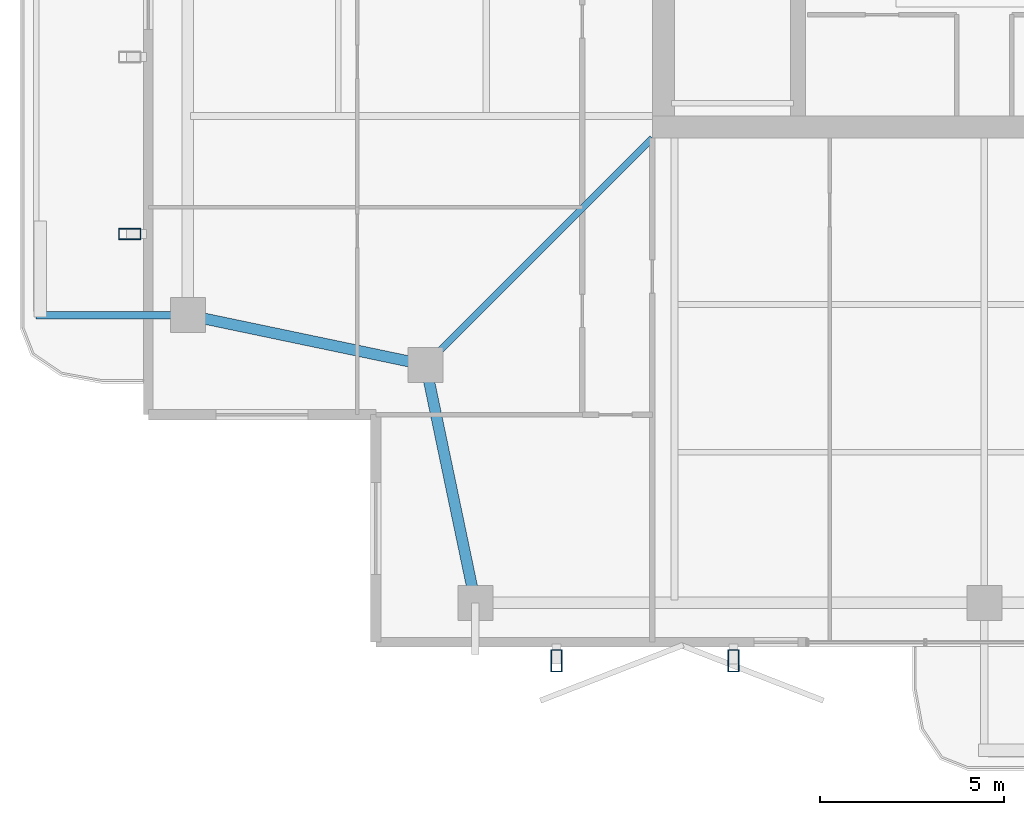
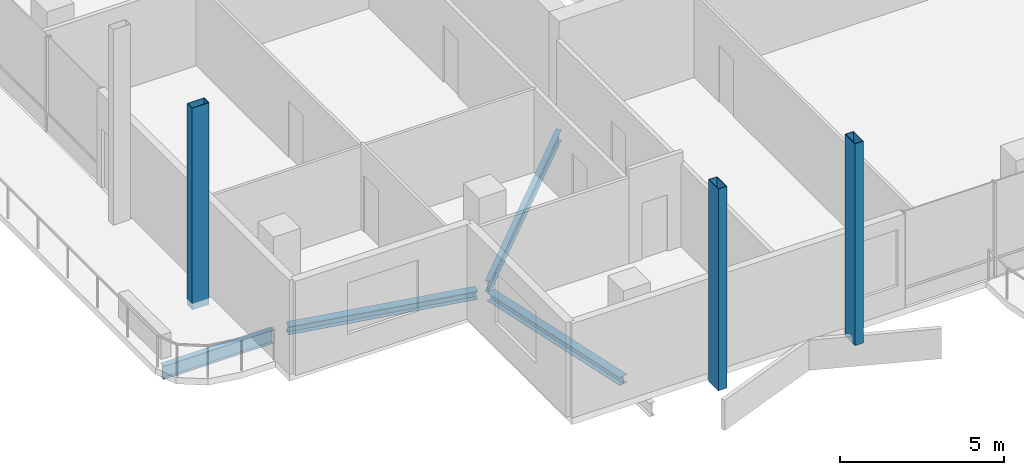
# One storey, part 2 of 20: 4 beams, 3 members.
"""IFC4 building model written with IfcOpenShell, lengths in metres."""

import ifcopenshell
import ifcopenshell.guid

model = None  # the IFC model being written
_history = None  # IfcOwnerHistory: only IFC2X3 demands one
_inside = {}  # id of a spatial element -> (the spatial element, [elements in it])
_under = {}  # id of a project, library or spatial element -> (it, [spatial elements below it])
_declared = {}  # id of a project -> (the project, [libraries it declares])
_typed = {}  # id of a type object -> (the type object, [elements of that type])
_made_of = {}  # id of a material, layer set ... -> (it, [elements and type objects made of it])


def new_model(schema):
    """Start an empty IFC model of exactly this schema.

    Asked for "IFC4X3", IfcOpenShell would pick the latest addendum, in which some entities
    have other attributes; the version numbers below select the first issue.
    IFC2X3 requires an IfcOwnerHistory on every rooted entity: one is made here for all.
    """
    global model, _history
    if schema == "IFC4X3":
        model = ifcopenshell.file(schema_version=(4, 3, 0, 0))
    else:
        model = ifcopenshell.file(schema=schema)
    _inside.clear()
    _under.clear()
    _declared.clear()
    _typed.clear()
    _made_of.clear()
    _history = None
    if model.schema == "IFC2X3":
        org = make("IfcOrganization", Name="unknown")
        user = make(
            "IfcPersonAndOrganization",
            ThePerson=make("IfcPerson", FamilyName="unknown"),
            TheOrganization=org,
        )
        app = make(
            "IfcApplication",
            ApplicationDeveloper=org,
            Version="unknown",
            ApplicationFullName="unknown",
            ApplicationIdentifier="unknown",
        )
        _history = make(
            "IfcOwnerHistory",
            OwningUser=user,
            OwningApplication=app,
            ChangeAction="ADDED",
            CreationDate=0,
        )
    return model


def make(cls, **values):
    """One entity of the class cls with the attributes given. An attribute that is None is left unset."""
    return model.create_entity(
        cls, **{name: value for name, value in values.items() if value is not None}
    )


def rooted(cls, **values):
    """An entity with a GlobalId (a new one), such as an element, a storey or a relation."""
    return make(cls, GlobalId=ifcopenshell.guid.new(), OwnerHistory=_history, **values)


def si_unit(unit_type, name, prefix=None):
    """IfcSIUnit, for example si_unit("LENGTHUNIT", "METRE", prefix="MILLI")."""
    return make("IfcSIUnit", UnitType=unit_type, Prefix=prefix, Name=name)


def assignment(units):
    """IfcUnitAssignment: the units of a project."""
    return None if units is None else make("IfcUnitAssignment", Units=units)


def point(xyz):
    """IfcCartesianPoint."""
    return None if xyz is None else make("IfcCartesianPoint", Coordinates=xyz)


def direction(xyz):
    """IfcDirection."""
    return None if xyz is None else make("IfcDirection", DirectionRatios=xyz)


def frame(location, z_axis=None, x_axis=None):
    """IfcAxis2Placement3D, a coordinate frame: its origin and axes. An axis left out is left unset."""
    return make(
        "IfcAxis2Placement3D",
        Location=point(location),
        Axis=direction(z_axis),
        RefDirection=direction(x_axis),
    )


def frame_2d(location, x_axis=None):
    """IfcAxis2Placement2D, a coordinate frame in the plane: its origin and x axis."""
    return make(
        "IfcAxis2Placement2D", Location=point(location), RefDirection=direction(x_axis)
    )


def origin():
    """The frame at (0, 0, 0) with its axes left unset."""
    return frame((0.0, 0.0, 0.0))


def origin_2d():
    """The frame at (0, 0) in the plane with its x axis left unset."""
    return frame_2d((0.0, 0.0))


def place(relative_to, where):
    """IfcLocalPlacement: puts the frame where relative to a parent placement (None: the world)."""
    return make(
        "IfcLocalPlacement", PlacementRelTo=relative_to, RelativePlacement=where
    )


def context(
    kind, dimensions, precision=None, world=None, true_north=None, identifier=None
):
    """IfcGeometricRepresentationContext, for example the 3D "Model" context."""
    return make(
        "IfcGeometricRepresentationContext",
        ContextIdentifier=identifier,
        ContextType=kind,
        CoordinateSpaceDimension=dimensions,
        Precision=precision,
        WorldCoordinateSystem=world,
        TrueNorth=true_north,
    )


def subcontext(parent, identifier, kind, view, scale=None):
    """IfcGeometricRepresentationSubContext, for example "Body" below "Model"."""
    return make(
        "IfcGeometricRepresentationSubContext",
        ContextIdentifier=identifier,
        ContextType=kind,
        ParentContext=parent,
        TargetScale=scale,
        TargetView=view,
    )


def project(units=None, contexts=None):
    """IfcProject with its units and contexts."""
    return rooted(
        "IfcProject",
        Name="project",
        RepresentationContexts=contexts,
        UnitsInContext=assignment(units),
    )


def spatial(cls, under=None, at=None, **own):
    """A site, building, storey or space (cls), placed at a placement, below another one or the project."""
    s = rooted(cls, ObjectPlacement=at, **own)
    if under is not None:
        _under.setdefault(under.id(), (under, []))[1].append(s)
    return s


def profile(cls, at=None, kind="AREA", **sizes):
    """A parametric profile (cls). Its sizes go by their IFC names, for example OverallWidth=200.0."""
    return make(cls, ProfileType=kind, Position=at, **sizes)


def hollow_rectangle(**sizes):
    """IfcRectangleHollowProfileDef."""
    return profile("IfcRectangleHollowProfileDef", **sizes)


def i_section(**sizes):
    """IfcIShapeProfileDef."""
    return profile("IfcIShapeProfileDef", **sizes)


def extrude(swept, where, along, depth):
    """IfcExtrudedAreaSolid: the profile swept, set in the frame where, extruded along a direction by depth."""
    return make(
        "IfcExtrudedAreaSolid",
        SweptArea=swept,
        Position=where,
        ExtrudedDirection=direction(along),
        Depth=depth,
    )


def shape(context_of_items, identifier, shape_type, items):
    """IfcShapeRepresentation: the items that make up one representation, for example the "Body"."""
    return make(
        "IfcShapeRepresentation",
        ContextOfItems=context_of_items,
        RepresentationIdentifier=identifier,
        RepresentationType=shape_type,
        Items=items,
    )


def material(Name=None, Category=None):
    """IfcMaterial."""
    return make("IfcMaterial", Name=Name, Category=Category)


def material_profile(
    of_material, cross_section, Name=None, Category=None, Priority=None
):
    """IfcMaterialProfile: a cross section and its material."""
    return make(
        "IfcMaterialProfile",
        Name=Name,
        Material=of_material,
        Profile=cross_section,
        Priority=Priority,
        Category=Category,
    )


def profile_set(profiles, Name=None, composite=None):
    """IfcMaterialProfileSet."""
    return make(
        "IfcMaterialProfileSet",
        Name=Name,
        MaterialProfiles=profiles,
        CompositeProfile=composite,
    )


def made_of(thing, what):
    """Note that an element or type object is made of a material, layer set ...; save() writes the relation."""
    if what is not None:
        _made_of.setdefault(what.id(), (what, []))[1].append(thing)
    return thing


def type_object(cls, material=None, **own):
    """A type object (cls), such as IfcWallType, which elements share."""
    return made_of(rooted(cls, **own), material)


def element(
    cls,
    number,
    at=None,
    inside=None,
    cuts=None,
    type_object=None,
    material=None,
    context=None,
    identifier="Body",
    shape_type=None,
    held_by="IfcProductDefinitionShape",
    body=None,
    shapes=None,
    **own,
):
    """One element of the class cls, such as IfcWall. Its Tag is "e" and its number.

    at: its placement. inside: the storey or other place that contains it. cuts: it is an
    opening in that element (IfcRelVoidsElement). A single representation is given by context,
    identifier, shape_type and body (its items); several are given by shapes. held_by: the class
    of the entity that holds the representations. save() writes the other relations.
    """
    e = rooted(cls, Tag="e%d" % number, ObjectPlacement=at, **own)
    if body is not None:
        shapes = [shape(context, identifier, shape_type, body)]
    if shapes is not None:
        e.Representation = make(held_by, Representations=shapes)
    if inside is not None:
        _inside.setdefault(inside.id(), (inside, []))[1].append(e)
    if cuts is not None:
        rooted(
            "IfcRelVoidsElement", RelatingBuildingElement=cuts, RelatedOpeningElement=e
        )
    if type_object is not None:
        _typed.setdefault(type_object.id(), (type_object, []))[1].append(e)
    return made_of(e, material)


def aggregate(whole, parts):
    """IfcRelAggregates: a whole, such as a stair, and the parts it consists of."""
    return rooted("IfcRelAggregates", RelatingObject=whole, RelatedObjects=parts)


def save(model, path):
    """Write the relations noted so far, then the file.

    IfcRelAggregates (storeys below a building ...), IfcRelContainedInSpatialStructure (elements
    in a storey), IfcRelDefinesByType, IfcRelAssociatesMaterial and IfcRelDeclares: one each for
    every whole, place, type object, material and project.
    """
    for whole, parts in _under.values():
        aggregate(whole, parts)
    for where, things in _inside.values():
        rooted(
            "IfcRelContainedInSpatialStructure",
            RelatedElements=things,
            RelatingStructure=where,
        )
    for kind, things in _typed.values():
        rooted("IfcRelDefinesByType", RelatedObjects=things, RelatingType=kind)
    for what, things in _made_of.values():
        rooted("IfcRelAssociatesMaterial", RelatedObjects=things, RelatingMaterial=what)
    for by, libraries in _declared.values():
        rooted("IfcRelDeclares", RelatingContext=by, RelatedDefinitions=libraries)
    model.write(path)


model = new_model("IFC4")

# Units and contexts
model_context = context("Model", 3, precision=1e-05, world=origin(), true_north=direction((0.0, 1.0)))
body_context = subcontext(model_context, "Body", "Model", "MODEL_VIEW")
ifc_project = project(units=[si_unit("LENGTHUNIT", "METRE"), si_unit("AREAUNIT", "SQUARE_METRE"), si_unit("VOLUMEUNIT", "CUBIC_METRE"), si_unit("PLANEANGLEUNIT", "RADIAN"), si_unit("MASSUNIT", "GRAM", prefix="KILO")], contexts=[model_context])

# Site, building, storey
site_placement = place(None, origin())
site = spatial("IfcSite", under=ifc_project, at=site_placement, CompositionType="ELEMENT")
building_placement = place(site_placement, origin())
building = spatial("IfcBuilding", under=site, at=building_placement, Name="Belovzor Exchange Tower", CompositionType="ELEMENT")
storey_placement = place(building_placement, frame((0.0, 0.0, 299.25)))
storey = spatial("IfcBuildingStorey", under=building, at=storey_placement, Name="L74", CompositionType="ELEMENT", Elevation=299.25)

# Beam
ifc_material_1 = material(Name="Steel S355", Category="steel")
ifc_material_profile_1 = material_profile(ifc_material_1, i_section(OverallWidth=0.199951171875, OverallDepth=0.5, WebThickness=0.01025390625, FlangeThickness=0.01611328125, at=origin_2d()))
ifc_profile_set_1 = profile_set([ifc_material_profile_1], Name="Steel S355")
beam_type_1 = type_object("IfcBeamType", Name="Planted Balcony Cantilever Beam IPE 500", PredefinedType="BEAM", material=ifc_profile_set_1)
beam_1_placement = place(storey_placement, frame((6.93896484375, 15.0, -0.489990234375), z_axis=(-1.0, 0.0, 0.0), x_axis=(0.0, -1.0, 0.0)))
element("IfcBeam", 1, at=beam_1_placement, inside=storey, type_object=beam_type_1, Name="BC-500 Planted Balcony Cantilever Beam IPE 500", PredefinedType="BEAM", context=body_context, shape_type="SweptSolid", body=[
    extrude(i_section(OverallWidth=0.199951171875, OverallDepth=0.5, WebThickness=0.01025390625, FlangeThickness=0.01611328125, at=origin_2d()), origin(), (0.0, 0.0, 1.0), 3.849853515625),
])

# Members
ifc_material_2 = material(Name="Extruded Architectural Terracotta on Steel S355 Carrier", Category="masonry")
ifc_material_profile_2 = material_profile(ifc_material_2, hollow_rectangle(XDim=0.300048828125, YDim=0.60009765625, WallThickness=0.01611328125, at=origin_2d()))
ifc_profile_set_2 = profile_set([ifc_material_profile_2], Name="Extruded Architectural Terracotta on Steel S355 Carrier")
member_type = type_object("IfcMemberType", Name="Upper Crown Terracotta Fin Assembly 550", PredefinedType="USERDEFINED", material=ifc_profile_set_2)
for number, where, z_axis, x_axis, name in (
    (2, (17.199951171875, 5.625, -0.239990234375), (0.0, 0.0, 1.0), (1.0, 0.0, 0.0), "FIN-TC055 Terracotta Facade Fin L74 S1"),
    (3, (5.625, 17.199951171875, -0.239990234375), (0.0, 0.0, 1.0), (0.0, 1.0, 0.0), "FIN-TC055 Terracotta Facade Fin L74 W1"),
    (4, (22.0, 5.625, -0.239990234375), (0.0, 0.0, 1.0), (1.0, 0.0, 0.0), "FIN-TC055 Terracotta Facade Fin L74 S2"),
):
    element("IfcMember", number, at=place(storey_placement, frame(where, z_axis=z_axis, x_axis=x_axis)), inside=storey, type_object=member_type, Name=name, ObjectType="FIN", PredefinedType="USERDEFINED", context=body_context, shape_type="SweptSolid", body=[
        extrude(hollow_rectangle(XDim=0.300048828125, YDim=0.60009765625, WallThickness=0.01611328125, at=origin_2d()), origin(), (0.0, 0.0, 1.0), 7.5),
    ])

# Beams
ifc_material_3 = material(Name="Steel S355", Category="steel")
ifc_material_profile_3 = material_profile(ifc_material_3, i_section(OverallWidth=0.179931640625, OverallDepth=0.39990234375, WebThickness=0.008544921875, FlangeThickness=0.013427734375, at=origin_2d()))
ifc_profile_set_3 = profile_set([ifc_material_profile_3], Name="Steel S355")
beam_type_2 = type_object("IfcBeamType", Name="Zone 5-6 Radial Composite Floor Beam IPE 400", PredefinedType="BEAM", material=ifc_profile_set_3)
beam_2_placement = place(storey_placement, frame((19.800048828125, 19.800048828125, -0.43994140625), z_axis=(-0.707106781187, -0.707106781187, 0.0), x_axis=(0.707106781187, -0.707106781187, 0.0)))
element("IfcBeam", 5, at=beam_2_placement, inside=storey, type_object=beam_type_2, Name="FB-400 Zone 5-6 Radial Composite Floor Beam IPE 400", PredefinedType="BEAM", context=body_context, shape_type="SweptSolid", body=[
    extrude(i_section(OverallWidth=0.179931640625, OverallDepth=0.39990234375, WebThickness=0.008544921875, FlangeThickness=0.013427734375, at=origin_2d()), origin(), (0.0, 0.0, 1.0), 8.361083984375),
])
ifc_material_4 = material(Name="Steel S355", Category="steel")
ifc_material_profile_4 = material_profile(ifc_material_4, i_section(OverallWidth=0.300048828125, OverallDepth=0.300048828125, WebThickness=0.008544921875, FlangeThickness=0.013916015625, at=origin_2d()))
ifc_profile_set_4 = profile_set([ifc_material_profile_4], Name="Steel S355")
beam_type_3 = type_object("IfcBeamType", Name="Zone 6 Primary Girder HEA 300", PredefinedType="BEAM", material=ifc_profile_set_4)
for number, where, z_axis, x_axis, name in (
    (6, (13.7041015625, 13.39404296875, -0.389892578125), (0.204722380619, -0.978820078908, 0.0), (0.978820078908, 0.204722380619, 0.0), "FG-Z6 Zone 6 Primary Girder HEA 300"),
    (7, (7.4560546875, 14.946044921875, -0.389892578125), (0.978820078908, -0.204722380619, 0.0), (0.204722380619, 0.978820078908, 0.0), "FG-Z6 Zone 6 Primary Girder HEA 300"),
):
    element("IfcBeam", number, at=place(storey_placement, frame(where, z_axis=z_axis, x_axis=x_axis)), inside=storey, type_object=beam_type_3, Name=name, PredefinedType="BEAM", context=body_context, shape_type="SweptSolid", body=[
        extrude(i_section(OverallWidth=0.300048828125, OverallDepth=0.300048828125, WebThickness=0.008544921875, FlangeThickness=0.013916015625, at=origin_2d()), origin(), (0.0, 0.0, 1.0), 6.06640625),
    ])

save(model, "model.ifc")
